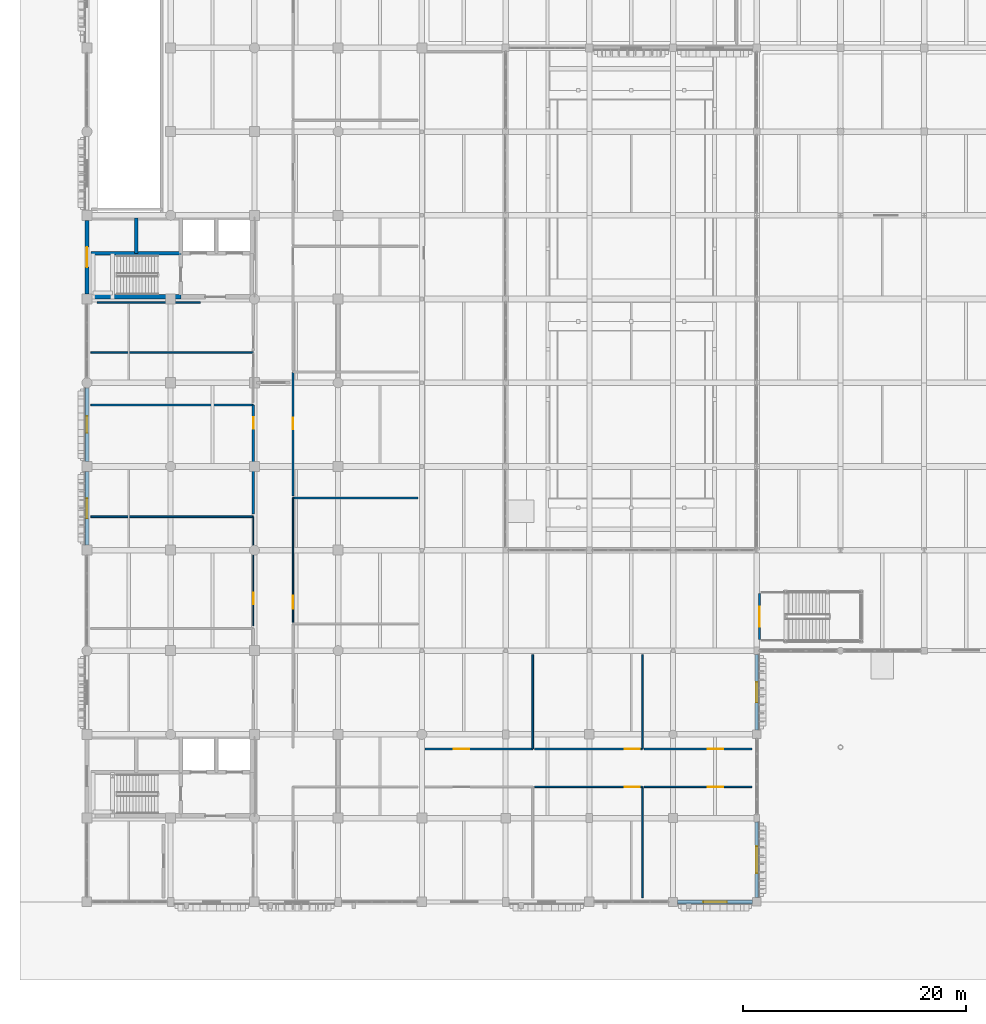
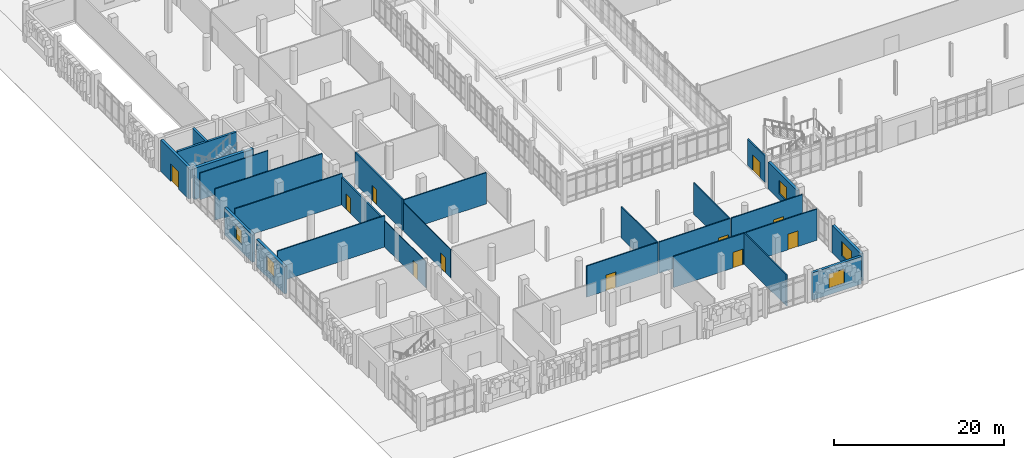
# One storey, part 91 of 125: 27 walls, 11 doors, 5 windows, 16 openings.
"""IFC4 building model written with IfcOpenShell, lengths in metres."""

from ifc_helpers import new_model, si_unit, direction, frame, frame_2d, origin, place, context, subcontext, project, spatial, rectangle, extrude, material, layer, layer_set, type_object, element, fill, save


model = new_model("IFC4")

# Units and contexts
model_context = context("Model", 3, precision=1e-05, world=origin(), true_north=direction((0.0, 1.0)))
body_context = subcontext(model_context, "Body", "Model", "MODEL_VIEW")
ifc_project = project(units=[si_unit("LENGTHUNIT", "METRE"), si_unit("AREAUNIT", "SQUARE_METRE"), si_unit("VOLUMEUNIT", "CUBIC_METRE"), si_unit("PLANEANGLEUNIT", "RADIAN"), si_unit("MASSUNIT", "GRAM", prefix="KILO")], contexts=[model_context])

# Site, building, storey
site_placement = place(None, origin())
site = spatial("IfcSite", under=ifc_project, at=site_placement, CompositionType="ELEMENT")
building_placement = place(site_placement, origin())
building = spatial("IfcBuilding", under=site, at=building_placement, Name="Dalvernix Boulevard General Hospital", CompositionType="ELEMENT")
storey_placement = place(building_placement, origin())
storey = spatial("IfcBuildingStorey", under=building, at=storey_placement, Name="L00", CompositionType="ELEMENT", Elevation=0.0)

# Walls
ifc_material_1 = material(Name="Concrete C40/50", Category="concrete")
ifc_layer_1 = layer(ifc_material_1, 0.39990234375)
ifc_layer_set_1 = layer_set([ifc_layer_1], Name="Concrete C40/50 (WAL-CSW-01)")
wall_type_1 = type_object("IfcWallType", Name="WAL-CSW-01", PredefinedType="SHEAR", material=ifc_layer_set_1)
wall_1_placement = place(storey_placement, frame((0.35009765625, 54.199951171875, 0.0), z_axis=(0.0, 0.0, 1.0), x_axis=(1.0, 0.0, 0.0)))
element("IfcWall", 1, at=wall_1_placement, inside=storey, type_object=wall_type_1, Name="L00 C2 south stairwell wall", PredefinedType="SHEAR", context=body_context, shape_type="SweptSolid", body=[
    extrude(rectangle(XDim=8.0498046875, YDim=0.39990234375, at=frame_2d((4.02490234375, 0.0))), origin(), (0.0, 0.0, 1.0), 4.5),
])
ifc_layer_2 = layer(ifc_material_1, 0.300048828125)
ifc_layer_set_2 = layer_set([ifc_layer_2], Name="Concrete C40/50 (WAL-CSW-02)")
wall_type_2 = type_object("IfcWallType", Name="WAL-CSW-02", PredefinedType="SHEAR", material=ifc_layer_set_2)
wall_2_placement = place(storey_placement, frame((0.35009765625, 58.10009765625, 0.0), z_axis=(0.0, 0.0, 1.0), x_axis=(1.0, 0.0, 0.0)))
element("IfcWall", 2, at=wall_2_placement, inside=storey, type_object=wall_type_2, Name="L00 C2 riser spine wall", PredefinedType="SHEAR", context=body_context, shape_type="SweptSolid", body=[
    extrude(rectangle(XDim=8.0498046875, YDim=0.300048828125, at=frame_2d((4.02490234375, 0.0))), origin(), (0.0, 0.0, 1.0), 4.5),
])
wall_3_placement = place(storey_placement, frame((4.39990234375, 58.10009765625, 0.0), z_axis=(0.0, 0.0, 1.0), x_axis=(0.0, 1.0, 0.0)))
element("IfcWall", 3, at=wall_3_placement, inside=storey, type_object=wall_type_2, Name="L00 C2 shaft divider R1", PredefinedType="SHEAR", context=body_context, shape_type="SweptSolid", body=[
    extrude(rectangle(XDim=3.14990234375, YDim=0.300048828125, at=frame_2d((1.574951171875, 0.0))), origin(), (0.0, 0.0, 1.0), 4.5),
])

# Wall, opening, door
ifc_layer_3 = layer(ifc_material_1, 0.35009765625)
ifc_layer_set_3 = layer_set([ifc_layer_3], Name="Concrete C40/50 (WAL-ESW-01)")
wall_type_3 = type_object("IfcWallType", Name="WAL-ESW-01", PredefinedType="SHEAR", material=ifc_layer_set_3)
wall_4_placement = place(storey_placement, frame((0.0, 54.4599609375, 0.0), z_axis=(0.0, 0.0, 1.0), x_axis=(0.0, 1.0, 0.0)))
wall_4 = element("IfcWall", 4, at=wall_4_placement, inside=storey, type_object=wall_type_3, Name="L00 core perimeter shear wall W 0-7", PredefinedType="SHEAR", context=body_context, shape_type="SweptSolid", body=[
    extrude(rectangle(XDim=6.580078125, YDim=0.35009765625, at=frame_2d((3.2900390625, 0.0))), origin(), (0.0, 0.0, 1.0), 4.5),
])
opening_1_placement = place(wall_4_placement, frame((2.389892578125, 0.0, 0.0)))
opening_1 = element("IfcOpeningElement", 5, at=opening_1_placement, cuts=wall_4, Name="Opening ED-18", PredefinedType="OPENING", context=body_context, shape_type="SweptSolid", body=[
    extrude(rectangle(XDim=1.800048828125, YDim=2.5, at=frame_2d((0.89990234375, 1.25))), frame((0.0, 0.18505859375, 0.0), z_axis=(0.0, -1.0, 0.0), x_axis=(1.0, 0.0, 0.0)), (0.0, 0.0, 1.0), 0.3701171875),
])
ifc_material_2 = material(Name="Galvanized painted steel", Category="steel")
door_type_1 = type_object("IfcDoorType", Name="DR-ED-18", OperationType="DOUBLE_DOOR_SINGLE_SWING", PredefinedType="DOOR", material=ifc_material_2)
door_1_placement = place(opening_1_placement, origin())
door_1 = element("IfcDoor", 6, at=door_1_placement, inside=storey, type_object=door_type_1, Name="Final Exit Door ED-L00-02 (Core C2)", OperationType="DOUBLE_DOOR_SINGLE_SWING", OverallHeight=2.5, OverallWidth=1.800048828125, PredefinedType="DOOR", context=body_context, shape_type="SweptSolid", body=[
    extrude(rectangle(XDim=1.800048828125, YDim=2.5, at=frame_2d((0.89990234375, 1.25))), frame((0.0, 0.02490234375, 0.0), z_axis=(0.0, -1.0, 0.0), x_axis=(1.0, 0.0, 0.0)), (0.0, 0.0, 1.0), 0.050048828125),
])
fill(opening_1, door_1)

# Wall, opening, window
ifc_material_3 = material(Name="Pressed Catalan clay brick and insulated concrete cavity wall C35/45", Category="masonry")
ifc_layer_4 = layer(ifc_material_3, 0.35009765625)
ifc_layer_set_4 = layer_set([ifc_layer_4], Name="Pressed Catalan clay brick and insulated concrete cavity wall C35/45 (WAL-EW-01)")
wall_type_4 = type_object("IfcWallType", Name="WAL-EW-01", PredefinedType="STANDARD", material=ifc_layer_set_4)
wall_5_placement = place(storey_placement, frame((0.0, 31.9599609375, 0.0), z_axis=(0.0, 0.0, 1.0), x_axis=(0.0, 1.0, 0.0)))
wall_5 = element("IfcWall", 7, at=wall_5_placement, inside=storey, type_object=wall_type_4, Name="L00 Catalan brick external wall W 0-4", PredefinedType="STANDARD", context=body_context, shape_type="SweptSolid", body=[
    extrude(rectangle(XDim=6.580078125, YDim=0.35009765625, at=frame_2d((3.2900390625, 0.0))), origin(), (0.0, 0.0, 1.0), 3.89990234375),
])
opening_2_placement = place(wall_5_placement, frame((2.389892578125, 0.0, 0.89990234375)))
opening_2 = element("IfcOpeningElement", 8, at=opening_2_placement, cuts=wall_5, Name="Opening WN-05", PredefinedType="OPENING", context=body_context, shape_type="SweptSolid", body=[
    extrude(rectangle(XDim=1.800048828125, YDim=2.10009765625, at=frame_2d((0.89990234375, 1.050048828125))), frame((0.0, 0.18505859375, 0.0), z_axis=(0.0, -1.0, 0.0), x_axis=(1.0, 0.0, 0.0)), (0.0, 0.0, 1.0), 0.3701171875),
])
ifc_material_4 = material(Name="Thermally broken aluminium frame with solar-control double glazing", Category="aluminium")
window_type_1 = type_object("IfcWindowType", Name="WIN-WN-05", PartitioningType="SINGLE_PANEL", PredefinedType="WINDOW", material=ifc_material_4)
window_1_placement = place(opening_2_placement, origin())
window_1 = element("IfcWindow", 9, at=window_1_placement, inside=storey, type_object=window_type_1, Name="L00 clinical window WN-05 W 0-4", OverallHeight=2.10009765625, OverallWidth=1.800048828125, PartitioningType="SINGLE_PANEL", PredefinedType="WINDOW", context=body_context, shape_type="SweptSolid", body=[
    extrude(rectangle(XDim=1.800048828125, YDim=2.10009765625, at=frame_2d((0.89990234375, 1.050048828125))), frame((0.0, 0.030029296875, 0.0), z_axis=(0.0, -1.0, 0.0), x_axis=(1.0, 0.0, 0.0)), (0.0, 0.0, 1.0), 0.06005859375),
])
fill(opening_2, window_1)

wall_6_placement = place(storey_placement, frame((0.0, 39.4599609375, 0.0), z_axis=(0.0, 0.0, 1.0), x_axis=(0.0, 1.0, 0.0)))
wall_6 = element("IfcWall", 10, at=wall_6_placement, inside=storey, type_object=wall_type_4, Name="L00 Catalan brick external wall W 0-5", PredefinedType="STANDARD", context=body_context, shape_type="SweptSolid", body=[
    extrude(rectangle(XDim=6.580078125, YDim=0.35009765625, at=frame_2d((3.2900390625, 0.0))), origin(), (0.0, 0.0, 1.0), 3.89990234375),
])
opening_3_placement = place(wall_6_placement, frame((2.5400390625, 0.0, 0.89990234375)))
opening_3 = element("IfcOpeningElement", 11, at=opening_3_placement, cuts=wall_6, Name="Opening WN-06", PredefinedType="OPENING", context=body_context, shape_type="SweptSolid", body=[
    extrude(rectangle(XDim=1.5, YDim=2.10009765625, at=frame_2d((0.75, 1.050048828125))), frame((0.0, 0.18505859375, 0.0), z_axis=(0.0, -1.0, 0.0), x_axis=(1.0, 0.0, 0.0)), (0.0, 0.0, 1.0), 0.3701171875),
])
window_type_2 = type_object("IfcWindowType", Name="WIN-WN-06", PartitioningType="SINGLE_PANEL", PredefinedType="WINDOW", material=ifc_material_4)
window_2_placement = place(opening_3_placement, origin())
window_2 = element("IfcWindow", 12, at=window_2_placement, inside=storey, type_object=window_type_2, Name="L00 clinical window WN-06 W 0-5", OverallHeight=2.10009765625, OverallWidth=1.5, PartitioningType="SINGLE_PANEL", PredefinedType="WINDOW", context=body_context, shape_type="SweptSolid", body=[
    extrude(rectangle(XDim=1.5, YDim=2.10009765625, at=frame_2d((0.75, 1.050048828125))), frame((0.0, 0.030029296875, 0.0), z_axis=(0.0, -1.0, 0.0), x_axis=(1.0, 0.0, 0.0)), (0.0, 0.0, 1.0), 0.06005859375),
])
fill(opening_3, window_2)

wall_7_placement = place(storey_placement, frame((59.614990234375, 0.0, 0.0), z_axis=(0.0, 0.0, 1.0), x_axis=(-1.0, 0.0, 0.0)))
wall_7 = element("IfcWall", 13, at=wall_7_placement, inside=storey, type_object=wall_type_4, Name="L00 Catalan brick external wall S 7-0", PredefinedType="STANDARD", context=body_context, shape_type="SweptSolid", body=[
    extrude(rectangle(XDim=6.705078125, YDim=0.35009765625, at=frame_2d((3.3525390625, 0.0))), origin(), (0.0, 0.0, 1.0), 3.949951171875),
])
opening_4_placement = place(wall_7_placement, frame((2.302490234375, 0.0, 0.89990234375)))
opening_4 = element("IfcOpeningElement", 14, at=opening_4_placement, cuts=wall_7, Name="Opening WN-08", PredefinedType="OPENING", context=body_context, shape_type="SweptSolid", body=[
    extrude(rectangle(XDim=2.10009765625, YDim=2.10009765625, at=frame_2d((1.050048828125, 1.050048828125))), frame((0.0, 0.18505859375, 0.0), z_axis=(0.0, -1.0, 0.0), x_axis=(1.0, 0.0, 0.0)), (0.0, 0.0, 1.0), 0.3701171875),
])
window_type_3 = type_object("IfcWindowType", Name="WIN-WN-08", PartitioningType="SINGLE_PANEL", PredefinedType="WINDOW", material=ifc_material_4)
window_3_placement = place(opening_4_placement, origin())
window_3 = element("IfcWindow", 15, at=window_3_placement, inside=storey, type_object=window_type_3, Name="L00 clinical window WN-08 S 7-0", OverallHeight=2.10009765625, OverallWidth=2.10009765625, PartitioningType="SINGLE_PANEL", PredefinedType="WINDOW", context=body_context, shape_type="SweptSolid", body=[
    extrude(rectangle(XDim=2.10009765625, YDim=2.10009765625, at=frame_2d((1.050048828125, 1.050048828125))), frame((0.0, 0.030029296875, 0.0), z_axis=(0.0, -1.0, 0.0), x_axis=(1.0, 0.0, 0.0)), (0.0, 0.0, 1.0), 0.06005859375),
])
fill(opening_4, window_3)

wall_8_placement = place(storey_placement, frame((60.0, 7.1650390625, 0.0), z_axis=(0.0, 0.0, 1.0), x_axis=(0.0, -1.0, 0.0)))
wall_8 = element("IfcWall", 16, at=wall_8_placement, inside=storey, type_object=wall_type_4, Name="L00 Catalan brick external wall E 8-0", PredefinedType="STANDARD", context=body_context, shape_type="SweptSolid", body=[
    extrude(rectangle(XDim=6.780029296875, YDim=0.35009765625, at=frame_2d((3.39013671875, 0.0))), origin(), (0.0, 0.0, 1.0), 3.89990234375),
])
opening_5_placement = place(wall_8_placement, frame((2.18994140625, 0.0, 0.89990234375)))
opening_5 = element("IfcOpeningElement", 17, at=opening_5_placement, cuts=wall_8, Name="Opening WN-09", PredefinedType="OPENING", context=body_context, shape_type="SweptSolid", body=[
    extrude(rectangle(XDim=2.39990234375, YDim=2.10009765625, at=frame_2d((1.199951171875, 1.050048828125))), frame((0.0, 0.18505859375, 0.0), z_axis=(0.0, -1.0, 0.0), x_axis=(1.0, 0.0, 0.0)), (0.0, 0.0, 1.0), 0.3701171875),
])
window_type_4 = type_object("IfcWindowType", Name="WIN-WN-09", PartitioningType="SINGLE_PANEL", PredefinedType="WINDOW", material=ifc_material_4)
window_4_placement = place(opening_5_placement, origin())
window_4 = element("IfcWindow", 18, at=window_4_placement, inside=storey, type_object=window_type_4, Name="L00 clinical window WN-09 E 8-0", OverallHeight=2.10009765625, OverallWidth=2.39990234375, PartitioningType="SINGLE_PANEL", PredefinedType="WINDOW", context=body_context, shape_type="SweptSolid", body=[
    extrude(rectangle(XDim=2.39990234375, YDim=2.10009765625, at=frame_2d((1.199951171875, 1.050048828125))), frame((0.0, 0.030029296875, 0.0), z_axis=(0.0, -1.0, 0.0), x_axis=(1.0, 0.0, 0.0)), (0.0, 0.0, 1.0), 0.06005859375),
])
fill(opening_5, window_4)

wall_9_placement = place(storey_placement, frame((60.0, 22.1650390625, 0.0), z_axis=(0.0, 0.0, 1.0), x_axis=(0.0, -1.0, 0.0)))
wall_9 = element("IfcWall", 19, at=wall_9_placement, inside=storey, type_object=wall_type_4, Name="L00 Catalan brick external wall E 8-2", PredefinedType="STANDARD", context=body_context, shape_type="SweptSolid", body=[
    extrude(rectangle(XDim=6.780029296875, YDim=0.35009765625, at=frame_2d((3.39013671875, 0.0))), origin(), (0.0, 0.0, 1.0), 3.89990234375),
])
opening_6_placement = place(wall_9_placement, frame((2.489990234375, 0.0, 0.89990234375)))
opening_6 = element("IfcOpeningElement", 20, at=opening_6_placement, cuts=wall_9, Name="Opening WN-11", PredefinedType="OPENING", context=body_context, shape_type="SweptSolid", body=[
    extrude(rectangle(XDim=1.800048828125, YDim=1.949951171875, at=frame_2d((0.89990234375, 0.97509765625))), frame((0.0, 0.18505859375, 0.0), z_axis=(0.0, -1.0, 0.0), x_axis=(1.0, 0.0, 0.0)), (0.0, 0.0, 1.0), 0.3701171875),
])
window_type_5 = type_object("IfcWindowType", Name="WIN-WN-11", PartitioningType="SINGLE_PANEL", PredefinedType="WINDOW", material=ifc_material_4)
window_5_placement = place(opening_6_placement, origin())
window_5 = element("IfcWindow", 21, at=window_5_placement, inside=storey, type_object=window_type_5, Name="L00 clinical window WN-11 E 8-2", OverallHeight=1.949951171875, OverallWidth=1.800048828125, PartitioningType="SINGLE_PANEL", PredefinedType="WINDOW", context=body_context, shape_type="SweptSolid", body=[
    extrude(rectangle(XDim=1.800048828125, YDim=1.949951171875, at=frame_2d((0.89990234375, 0.97509765625))), frame((0.0, 0.030029296875, 0.0), z_axis=(0.0, -1.0, 0.0), x_axis=(1.0, 0.0, 0.0)), (0.0, 0.0, 1.0), 0.06005859375),
])
fill(opening_6, window_5)

# Wall, opening, door
ifc_material_5 = material(Name="Fire-compartment corridor masonry wall", Category="masonry")
ifc_layer_5 = layer(ifc_material_5, 0.199951171875)
ifc_layer_set_5 = layer_set([ifc_layer_5], Name="Fire-compartment corridor masonry wall (WAL-IW-02)")
wall_type_5 = type_object("IfcWallType", Name="WAL-IW-02", PredefinedType="STANDARD", material=ifc_layer_set_5)
wall_10_placement = place(storey_placement, frame((60.25, 23.5, 0.0), z_axis=(0.0, 0.0, 1.0), x_axis=(0.0, 1.0, 0.0)))
wall_10 = element("IfcWall", 22, at=wall_10_placement, inside=storey, type_object=wall_type_5, Name="L00 Stair ST-07 vestibule fire screen", PredefinedType="STANDARD", context=body_context, shape_type="SweptSolid", body=[
    extrude(rectangle(XDim=4.10009765625, YDim=0.199951171875, at=frame_2d((2.050048828125, 0.0))), origin(), (0.0, 0.0, 1.0), 3.784912109375),
])
opening_7_placement = place(wall_10_placement, frame((1.14990234375, 0.0, 0.0)))
opening_7 = element("IfcOpeningElement", 23, at=opening_7_placement, cuts=wall_10, Name="Opening FD-01", PredefinedType="OPENING", context=body_context, shape_type="SweptSolid", body=[
    extrude(rectangle(XDim=1.800048828125, YDim=2.25, at=frame_2d((0.89990234375, 1.125))), frame((0.0, 0.10986328125, 0.0), z_axis=(0.0, -1.0, 0.0), x_axis=(1.0, 0.0, 0.0)), (0.0, 0.0, 1.0), 0.219970703125),
])
ifc_material_6 = material(Name="Hospital laminate acoustic timber and steel frame", Category="steel")
door_type_2 = type_object("IfcDoorType", Name="DR-FD-01", OperationType="DOUBLE_DOOR_SINGLE_SWING", PredefinedType="DOOR", material=ifc_material_6)
door_2_placement = place(opening_7_placement, origin())
door_2 = element("IfcDoor", 24, at=door_2_placement, inside=storey, type_object=door_type_2, Name="L00 Stair ST-07 vestibule double fire door", OperationType="DOUBLE_DOOR_SINGLE_SWING", OverallHeight=2.25, OverallWidth=1.800048828125, PredefinedType="DOOR", context=body_context, shape_type="SweptSolid", body=[
    extrude(rectangle(XDim=1.800048828125, YDim=2.25, at=frame_2d((0.89990234375, 1.125))), frame((0.0, 0.02490234375, 0.0), z_axis=(0.0, -1.0, 0.0), x_axis=(1.0, 0.0, 0.0)), (0.0, 0.0, 1.0), 0.050048828125),
])
fill(opening_7, door_2)

wall_11_placement = place(storey_placement, frame((14.89990234375, 34.75, 0.0), z_axis=(0.0, 0.0, 1.0), x_axis=(0.0, 1.0, 0.0)))
wall_11 = element("IfcWall", 25, at=wall_11_placement, inside=storey, type_object=wall_type_5, Name="L00 Outpatient Consultation Clinic 01 corridor wall", PredefinedType="STANDARD", context=body_context, shape_type="SweptSolid", body=[
    extrude(rectangle(XDim=9.75, YDim=0.199951171875, at=frame_2d((4.875, 0.0))), origin(), (0.0, 0.0, 1.0), 3.93505859375),
])
opening_8_placement = place(wall_11_placement, frame((7.6298828125, 0.0, 0.0)))
opening_8 = element("IfcOpeningElement", 26, at=opening_8_placement, cuts=wall_11, Name="Opening ID-07", PredefinedType="OPENING", context=body_context, shape_type="SweptSolid", body=[
    extrude(rectangle(XDim=1.050048828125, YDim=2.199951171875, at=frame_2d((0.52490234375, 1.10009765625))), frame((0.0, 0.10986328125, 0.0), z_axis=(0.0, -1.0, 0.0), x_axis=(1.0, 0.0, 0.0)), (0.0, 0.0, 1.0), 0.219970703125),
])
door_type_3 = type_object("IfcDoorType", Name="DR-ID-07", OperationType="NOTDEFINED", PredefinedType="DOOR", material=ifc_material_6)
door_3_placement = place(opening_8_placement, origin())
door_3 = element("IfcDoor", 27, at=door_3_placement, inside=storey, type_object=door_type_3, Name="L00 Outpatient Consultation Clinic 01 door", OperationType="SINGLE_SWING_RIGHT", OverallHeight=2.199951171875, OverallWidth=1.050048828125, PredefinedType="DOOR", context=body_context, shape_type="SweptSolid", body=[
    extrude(rectangle(XDim=1.050048828125, YDim=2.199951171875, at=frame_2d((0.52490234375, 1.10009765625))), frame((0.0, 0.02490234375, 0.0), z_axis=(0.0, -1.0, 0.0), x_axis=(1.0, 0.0, 0.0)), (0.0, 0.0, 1.0), 0.050048828125),
])
fill(opening_8, door_3)

wall_12_placement = place(storey_placement, frame((18.449951171875, 47.455810546875, 0.0), z_axis=(0.0, 0.0, 1.0), x_axis=(0.0, -1.0, 0.0)))
wall_12 = element("IfcWall", 28, at=wall_12_placement, inside=storey, type_object=wall_type_5, Name="L00 Patient and Family Day Lounge L00 corridor wall", PredefinedType="STANDARD", context=body_context, shape_type="SweptSolid", body=[
    extrude(rectangle(XDim=11.11865234375, YDim=0.199951171875, at=frame_2d((5.559326171875, 0.0))), origin(), (0.0, 0.0, 1.0), 4.485107421875),
])
opening_9_placement = place(wall_12_placement, frame((4.077392578125, 0.0, 0.0)))
opening_9 = element("IfcOpeningElement", 29, at=opening_9_placement, cuts=wall_12, Name="Opening ID-07", PredefinedType="OPENING", context=body_context, shape_type="SweptSolid", body=[
    extrude(rectangle(XDim=1.050048828125, YDim=2.199951171875, at=frame_2d((0.52490234375, 1.10009765625))), frame((0.0, 0.10986328125, 0.0), z_axis=(0.0, -1.0, 0.0), x_axis=(1.0, 0.0, 0.0)), (0.0, 0.0, 1.0), 0.219970703125),
])
door_4_placement = place(opening_9_placement, origin())
door_4 = element("IfcDoor", 30, at=door_4_placement, inside=storey, type_object=door_type_3, Name="L00 Patient and Family Day Lounge L00 door", OperationType="SINGLE_SWING_RIGHT", OverallHeight=2.199951171875, OverallWidth=1.050048828125, PredefinedType="DOOR", context=body_context, shape_type="SweptSolid", body=[
    extrude(rectangle(XDim=1.050048828125, YDim=2.199951171875, at=frame_2d((0.52490234375, 1.10009765625))), frame((0.0, 0.02490234375, 0.0), z_axis=(0.0, -1.0, 0.0), x_axis=(1.0, 0.0, 0.0)), (0.0, 0.0, 1.0), 0.050048828125),
])
fill(opening_9, door_4)

ifc_material_7 = material(Name="Acoustic double-stud gypsum inpatient partition")
ifc_layer_6 = layer(ifc_material_7, 0.14990234375)
ifc_layer_set_6 = layer_set([ifc_layer_6], Name="Acoustic double-stud gypsum inpatient partition (WAL-IW-04)")
wall_type_6 = type_object("IfcWallType", Name="WAL-IW-04", PredefinedType="PARTITIONING", material=ifc_layer_set_6)
wall_13_placement = place(storey_placement, frame((30.280029296875, 13.699951171875, 0.0), z_axis=(0.0, 0.0, 1.0), x_axis=(1.0, 0.0, 0.0)))
wall_13 = element("IfcWall", 31, at=wall_13_placement, inside=storey, type_object=wall_type_6, Name="L00 Specialty Clinic L00-N1 corridor wall", PredefinedType="PARTITIONING", context=body_context, shape_type="SweptSolid", body=[
    extrude(rectangle(XDim=9.65673828125, YDim=0.14990234375, at=frame_2d((4.828369140625, 0.0))), origin(), (0.0, 0.0, 1.0), 4.485107421875),
])
opening_10_placement = place(wall_13_placement, frame((2.592041015625, 0.0, 0.0)))
opening_10 = element("IfcOpeningElement", 32, at=opening_10_placement, cuts=wall_13, Name="Opening ID-01", PredefinedType="OPENING", context=body_context, shape_type="SweptSolid", body=[
    extrude(rectangle(XDim=1.35009765625, YDim=2.25, at=frame_2d((0.675048828125, 1.125))), frame((0.0, 0.0849609375, 0.0), z_axis=(0.0, -1.0, 0.0), x_axis=(1.0, 0.0, 0.0)), (0.0, 0.0, 1.0), 0.169921875),
])
door_type_4 = type_object("IfcDoorType", Name="DR-ID-01", OperationType="NOTDEFINED", PredefinedType="DOOR", material=ifc_material_6)
door_5_placement = place(opening_10_placement, origin())
door_5 = element("IfcDoor", 33, at=door_5_placement, inside=storey, type_object=door_type_4, Name="L00 Specialty Clinic L00-N1 door", OperationType="SINGLE_SWING_RIGHT", OverallHeight=2.25, OverallWidth=1.35009765625, PredefinedType="DOOR", context=body_context, shape_type="SweptSolid", body=[
    extrude(rectangle(XDim=1.35009765625, YDim=2.25, at=frame_2d((0.675048828125, 1.125))), frame((0.0, 0.02490234375, 0.0), z_axis=(0.0, -1.0, 0.0), x_axis=(1.0, 0.0, 0.0)), (0.0, 0.0, 1.0), 0.050048828125),
])
fill(opening_10, door_5)

wall_14_placement = place(storey_placement, frame((49.75341796875, 10.300048828125, 0.0), z_axis=(0.0, 0.0, 1.0), x_axis=(-1.0, 0.0, 0.0)))
wall_14 = element("IfcWall", 34, at=wall_14_placement, inside=storey, type_object=wall_type_6, Name="L00 Diagnostic Ultrasound Suite 2 corridor wall", PredefinedType="PARTITIONING", context=body_context, shape_type="SweptSolid", body=[
    extrude(rectangle(XDim=9.65673828125, YDim=0.14990234375, at=frame_2d((4.828369140625, 0.0))), origin(), (0.0, 0.0, 1.0), 4.485107421875),
])
opening_11_placement = place(wall_14_placement, frame((0.25, 0.0, 0.0)))
opening_11 = element("IfcOpeningElement", 35, at=opening_11_placement, cuts=wall_14, Name="Opening ID-01", PredefinedType="OPENING", context=body_context, shape_type="SweptSolid", body=[
    extrude(rectangle(XDim=1.35009765625, YDim=2.25, at=frame_2d((0.675048828125, 1.125))), frame((0.0, 0.0849609375, 0.0), z_axis=(0.0, -1.0, 0.0), x_axis=(1.0, 0.0, 0.0)), (0.0, 0.0, 1.0), 0.169921875),
])
door_6_placement = place(opening_11_placement, origin())
door_6 = element("IfcDoor", 36, at=door_6_placement, inside=storey, type_object=door_type_4, Name="L00 Diagnostic Ultrasound Suite 2 door", OperationType="SINGLE_SWING_LEFT", OverallHeight=2.25, OverallWidth=1.35009765625, PredefinedType="DOOR", context=body_context, shape_type="SweptSolid", body=[
    extrude(rectangle(XDim=1.35009765625, YDim=2.25, at=frame_2d((0.675048828125, 1.125))), frame((0.0, 0.02490234375, 0.0), z_axis=(0.0, -1.0, 0.0), x_axis=(1.0, 0.0, 0.0)), (0.0, 0.0, 1.0), 0.050048828125),
])
fill(opening_11, door_6)

wall_15_placement = place(storey_placement, frame((40.0966796875, 13.699951171875, 0.0), z_axis=(0.0, 0.0, 1.0), x_axis=(1.0, 0.0, 0.0)))
wall_15 = element("IfcWall", 37, at=wall_15_placement, inside=storey, type_object=wall_type_6, Name="L00 Specialty Clinic L00-N2 corridor wall", PredefinedType="PARTITIONING", context=body_context, shape_type="SweptSolid", body=[
    extrude(rectangle(XDim=9.65673828125, YDim=0.14990234375, at=frame_2d((4.828369140625, 0.0))), origin(), (0.0, 0.0, 1.0), 4.485107421875),
])
opening_12_placement = place(wall_15_placement, frame((8.056640625, 0.0, 0.0)))
opening_12 = element("IfcOpeningElement", 38, at=opening_12_placement, cuts=wall_15, Name="Opening ID-01", PredefinedType="OPENING", context=body_context, shape_type="SweptSolid", body=[
    extrude(rectangle(XDim=1.35009765625, YDim=2.25, at=frame_2d((0.675048828125, 1.125))), frame((0.0, 0.0849609375, 0.0), z_axis=(0.0, -1.0, 0.0), x_axis=(1.0, 0.0, 0.0)), (0.0, 0.0, 1.0), 0.169921875),
])
door_7_placement = place(opening_12_placement, origin())
door_7 = element("IfcDoor", 39, at=door_7_placement, inside=storey, type_object=door_type_4, Name="L00 Specialty Clinic L00-N2 door", OperationType="SINGLE_SWING_RIGHT", OverallHeight=2.25, OverallWidth=1.35009765625, PredefinedType="DOOR", context=body_context, shape_type="SweptSolid", body=[
    extrude(rectangle(XDim=1.35009765625, YDim=2.25, at=frame_2d((0.675048828125, 1.125))), frame((0.0, 0.02490234375, 0.0), z_axis=(0.0, -1.0, 0.0), x_axis=(1.0, 0.0, 0.0)), (0.0, 0.0, 1.0), 0.050048828125),
])
fill(opening_12, door_7)

wall_16_placement = place(storey_placement, frame((59.570068359375, 10.300048828125, 0.0), z_axis=(0.0, 0.0, 1.0), x_axis=(-1.0, 0.0, 0.0)))
wall_16 = element("IfcWall", 40, at=wall_16_placement, inside=storey, type_object=wall_type_6, Name="L00 Diagnostic Ultrasound Suite 3 corridor wall", PredefinedType="PARTITIONING", context=body_context, shape_type="SweptSolid", body=[
    extrude(rectangle(XDim=9.65673828125, YDim=0.14990234375, at=frame_2d((4.828369140625, 0.0))), origin(), (0.0, 0.0, 1.0), 4.485107421875),
])
opening_13_placement = place(wall_16_placement, frame((2.592041015625, 0.0, 0.0)))
opening_13 = element("IfcOpeningElement", 41, at=opening_13_placement, cuts=wall_16, Name="Opening ID-01", PredefinedType="OPENING", context=body_context, shape_type="SweptSolid", body=[
    extrude(rectangle(XDim=1.35009765625, YDim=2.25, at=frame_2d((0.675048828125, 1.125))), frame((0.0, 0.0849609375, 0.0), z_axis=(0.0, -1.0, 0.0), x_axis=(1.0, 0.0, 0.0)), (0.0, 0.0, 1.0), 0.169921875),
])
door_8_placement = place(opening_13_placement, origin())
door_8 = element("IfcDoor", 42, at=door_8_placement, inside=storey, type_object=door_type_4, Name="L00 Diagnostic Ultrasound Suite 3 door", OperationType="SINGLE_SWING_LEFT", OverallHeight=2.25, OverallWidth=1.35009765625, PredefinedType="DOOR", context=body_context, shape_type="SweptSolid", body=[
    extrude(rectangle(XDim=1.35009765625, YDim=2.25, at=frame_2d((0.675048828125, 1.125))), frame((0.0, 0.02490234375, 0.0), z_axis=(0.0, -1.0, 0.0), x_axis=(1.0, 0.0, 0.0)), (0.0, 0.0, 1.0), 0.050048828125),
])
fill(opening_13, door_8)

wall_17_placement = place(storey_placement, frame((49.913330078125, 13.699951171875, 0.0), z_axis=(0.0, 0.0, 1.0), x_axis=(1.0, 0.0, 0.0)))
wall_17 = element("IfcWall", 43, at=wall_17_placement, inside=storey, type_object=wall_type_6, Name="L00 Specialty Clinic L00-N3 corridor wall", PredefinedType="PARTITIONING", context=body_context, shape_type="SweptSolid", body=[
    extrude(rectangle(XDim=9.65673828125, YDim=0.14990234375, at=frame_2d((4.828369140625, 0.0))), origin(), (0.0, 0.0, 1.0), 4.485107421875),
])
opening_14_placement = place(wall_17_placement, frame((5.714599609375, 0.0, 0.0)))
opening_14 = element("IfcOpeningElement", 44, at=opening_14_placement, cuts=wall_17, Name="Opening ID-01", PredefinedType="OPENING", context=body_context, shape_type="SweptSolid", body=[
    extrude(rectangle(XDim=1.35009765625, YDim=2.25, at=frame_2d((0.675048828125, 1.125))), frame((0.0, 0.0849609375, 0.0), z_axis=(0.0, -1.0, 0.0), x_axis=(1.0, 0.0, 0.0)), (0.0, 0.0, 1.0), 0.169921875),
])
door_9_placement = place(opening_14_placement, origin())
door_9 = element("IfcDoor", 45, at=door_9_placement, inside=storey, type_object=door_type_4, Name="L00 Specialty Clinic L00-N3 door", OperationType="SINGLE_SWING_RIGHT", OverallHeight=2.25, OverallWidth=1.35009765625, PredefinedType="DOOR", context=body_context, shape_type="SweptSolid", body=[
    extrude(rectangle(XDim=1.35009765625, YDim=2.25, at=frame_2d((0.675048828125, 1.125))), frame((0.0, 0.02490234375, 0.0), z_axis=(0.0, -1.0, 0.0), x_axis=(1.0, 0.0, 0.0)), (0.0, 0.0, 1.0), 0.050048828125),
])
fill(opening_14, door_9)

# Walls
for number, where, z_axis, x_axis, name in (
    (46, (0.35009765625, 34.5, 0.0), (0.0, 0.0, 1.0), (1.0, 0.0, 0.0), "L00 Outpatient Phlebotomy and Specimen Suite partition"),
    (47, (0.35009765625, 44.5, 0.0), (0.0, 0.0, 1.0), (1.0, 0.0, 0.0), "L00 Outpatient Consultation Clinic 01 partition"),
    (48, (0.35009765625, 49.199951171875, 0.0), (0.0, 0.0, 1.0), (1.0, 0.0, 0.0), "L00 Accessible Public WC L00 West partition"),
):
    element("IfcWall", number, at=place(storey_placement, frame(where, z_axis=z_axis, x_axis=x_axis)), inside=storey, type_object=wall_type_6, Name=name, PredefinedType="PARTITIONING", context=body_context, shape_type="SweptSolid", body=[
        extrude(rectangle(XDim=14.5498046875, YDim=0.14990234375, at=frame_2d((7.27490234375, 0.0))), origin(), (0.0, 0.0, 1.0), 4.485107421875),
    ])
wall_18_placement = place(storey_placement, frame((18.449951171875, 36.177001953125, 0.0), z_axis=(0.0, 0.0, 1.0), x_axis=(1.0, 0.0, 0.0)))
element("IfcWall", 49, at=wall_18_placement, inside=storey, type_object=wall_type_6, Name="L00 Clinical Treatment and Procedure Room L00 partition", PredefinedType="PARTITIONING", context=body_context, shape_type="SweptSolid", body=[
    extrude(rectangle(XDim=11.199951171875, YDim=0.14990234375, at=frame_2d((5.60009765625, 0.0))), origin(), (0.0, 0.0, 1.0), 4.485107421875),
])
wall_19_placement = place(storey_placement, frame((39.936767578125, 13.699951171875, 0.0), z_axis=(0.0, 0.0, 1.0), x_axis=(0.0, 1.0, 0.0)))
element("IfcWall", 50, at=wall_19_placement, inside=storey, type_object=wall_type_6, Name="L00 Specialty Clinic L00-N1 partition", PredefinedType="PARTITIONING", context=body_context, shape_type="SweptSolid", body=[
    extrude(rectangle(XDim=8.449951171875, YDim=0.14990234375, at=frame_2d((4.22509765625, 0.0))), origin(), (0.0, 0.0, 1.0), 4.485107421875),
])
wall_20_placement = place(storey_placement, frame((49.75341796875, 0.35009765625, 0.0), z_axis=(0.0, 0.0, 1.0), x_axis=(0.0, 1.0, 0.0)))
element("IfcWall", 51, at=wall_20_placement, inside=storey, type_object=wall_type_6, Name="L00 Diagnostic Ultrasound Suite 2 partition", PredefinedType="PARTITIONING", context=body_context, shape_type="SweptSolid", body=[
    extrude(rectangle(XDim=9.949951171875, YDim=0.14990234375, at=frame_2d((4.97509765625, 0.0))), origin(), (0.0, 0.0, 1.0), 4.485107421875),
])
wall_21_placement = place(storey_placement, frame((49.75341796875, 13.699951171875, 0.0), z_axis=(0.0, 0.0, 1.0), x_axis=(0.0, 1.0, 0.0)))
element("IfcWall", 52, at=wall_21_placement, inside=storey, type_object=wall_type_6, Name="L00 Specialty Clinic L00-N2 partition", PredefinedType="PARTITIONING", context=body_context, shape_type="SweptSolid", body=[
    extrude(rectangle(XDim=8.449951171875, YDim=0.14990234375, at=frame_2d((4.22509765625, 0.0))), origin(), (0.0, 0.0, 1.0), 4.485107421875),
])
ifc_material_8 = material(Name="Moisture-resistant en-suite bathroom partition")
ifc_layer_7 = layer(ifc_material_8, 0.1201171875)
ifc_layer_set_7 = layer_set([ifc_layer_7], Name="Moisture-resistant en-suite bathroom partition (WAL-IW-05)")
wall_type_7 = type_object("IfcWallType", Name="WAL-IW-05", PredefinedType="PARTITIONING", material=ifc_layer_set_7)
wall_22_placement = place(storey_placement, frame((0.89990234375, 53.699951171875, 0.0), z_axis=(0.0, 0.0, 1.0), x_axis=(1.0, 0.0, 0.0)))
element("IfcWall", 53, at=wall_22_placement, inside=storey, type_object=wall_type_7, Name="L00 Staff WC L00 West enclosure wall N", PredefinedType="PARTITIONING", context=body_context, shape_type="SweptSolid", body=[
    extrude(rectangle(XDim=9.25, YDim=0.1201171875, at=frame_2d((4.625, 0.0))), origin(), (0.0, 0.0, 1.0), 3.8349609375),
])

# Wall, opening, door
ifc_material_9 = material(Name="Fire-resisting clinical sub-partition")
ifc_layer_8 = layer(ifc_material_9, 0.10009765625)
ifc_layer_set_8 = layer_set([ifc_layer_8], Name="Fire-resisting clinical sub-partition (WAL-IW-06)")
wall_type_8 = type_object("IfcWallType", Name="WAL-IW-06", PredefinedType="PARTITIONING", material=ifc_layer_set_8)
wall_23_placement = place(storey_placement, frame((14.89990234375, 24.75, 0.0), z_axis=(0.0, 0.0, 1.0), x_axis=(0.0, 1.0, 0.0)))
wall_23 = element("IfcWall", 54, at=wall_23_placement, inside=storey, type_object=wall_type_8, Name="L00 Outpatient Phlebotomy and Specimen Suite corridor wall", PredefinedType="PARTITIONING", context=body_context, shape_type="SweptSolid", body=[
    extrude(rectangle(XDim=9.75, YDim=0.10009765625, at=frame_2d((4.875, 0.0))), origin(), (0.0, 0.0, 1.0), 3.784912109375),
])
opening_15_placement = place(wall_23_placement, frame((1.889892578125, 0.0, 0.0)))
opening_15 = element("IfcOpeningElement", 55, at=opening_15_placement, cuts=wall_23, Name="Opening ID-07", PredefinedType="OPENING", context=body_context, shape_type="SweptSolid", body=[
    extrude(rectangle(XDim=1.050048828125, YDim=2.199951171875, at=frame_2d((0.52490234375, 1.10009765625))), frame((0.0, 0.06005859375, 0.0), z_axis=(0.0, -1.0, 0.0), x_axis=(1.0, 0.0, 0.0)), (0.0, 0.0, 1.0), 0.1201171875),
])
door_10_placement = place(opening_15_placement, origin())
door_10 = element("IfcDoor", 56, at=door_10_placement, inside=storey, type_object=door_type_3, Name="L00 Outpatient Phlebotomy and Specimen Suite door", OperationType="SINGLE_SWING_LEFT", OverallHeight=2.199951171875, OverallWidth=1.050048828125, PredefinedType="DOOR", context=body_context, shape_type="SweptSolid", body=[
    extrude(rectangle(XDim=1.050048828125, YDim=2.199951171875, at=frame_2d((0.52490234375, 1.10009765625))), frame((0.0, 0.02490234375, 0.0), z_axis=(0.0, -1.0, 0.0), x_axis=(1.0, 0.0, 0.0)), (0.0, 0.0, 1.0), 0.050048828125),
])
fill(opening_15, door_10)

wall_24_placement = place(storey_placement, frame((18.449951171875, 36.177001953125, 0.0), z_axis=(0.0, 0.0, 1.0), x_axis=(0.0, -1.0, 0.0)))
wall_24 = element("IfcWall", 57, at=wall_24_placement, inside=storey, type_object=wall_type_8, Name="L00 Clinical Treatment and Procedure Room L00 corridor wall", PredefinedType="PARTITIONING", context=body_context, shape_type="SweptSolid", body=[
    extrude(rectangle(XDim=11.118408203125, YDim=0.10009765625, at=frame_2d((5.55908203125, 0.0))), origin(), (0.0, 0.0, 1.0), 4.0849609375),
])
opening_16_placement = place(wall_24_placement, frame((8.771484375, 0.0, 0.0)))
opening_16 = element("IfcOpeningElement", 58, at=opening_16_placement, cuts=wall_24, Name="Opening ID-08", PredefinedType="OPENING", context=body_context, shape_type="SweptSolid", body=[
    extrude(rectangle(XDim=1.14990234375, YDim=2.199951171875, at=frame_2d((0.574951171875, 1.10009765625))), frame((0.0, 0.06005859375, 0.0), z_axis=(0.0, -1.0, 0.0), x_axis=(1.0, 0.0, 0.0)), (0.0, 0.0, 1.0), 0.1201171875),
])
door_type_5 = type_object("IfcDoorType", Name="DR-ID-08", OperationType="NOTDEFINED", PredefinedType="DOOR", material=ifc_material_6)
door_11_placement = place(opening_16_placement, origin())
door_11 = element("IfcDoor", 59, at=door_11_placement, inside=storey, type_object=door_type_5, Name="L00 Clinical Treatment and Procedure Room L00 door", OperationType="SINGLE_SWING_LEFT", OverallHeight=2.199951171875, OverallWidth=1.14990234375, PredefinedType="DOOR", context=body_context, shape_type="SweptSolid", body=[
    extrude(rectangle(XDim=1.14990234375, YDim=2.199951171875, at=frame_2d((0.574951171875, 1.10009765625))), frame((0.0, 0.02490234375, 0.0), z_axis=(0.0, -1.0, 0.0), x_axis=(1.0, 0.0, 0.0)), (0.0, 0.0, 1.0), 0.050048828125),
])
fill(opening_16, door_11)

save(model, "model.ifc")
